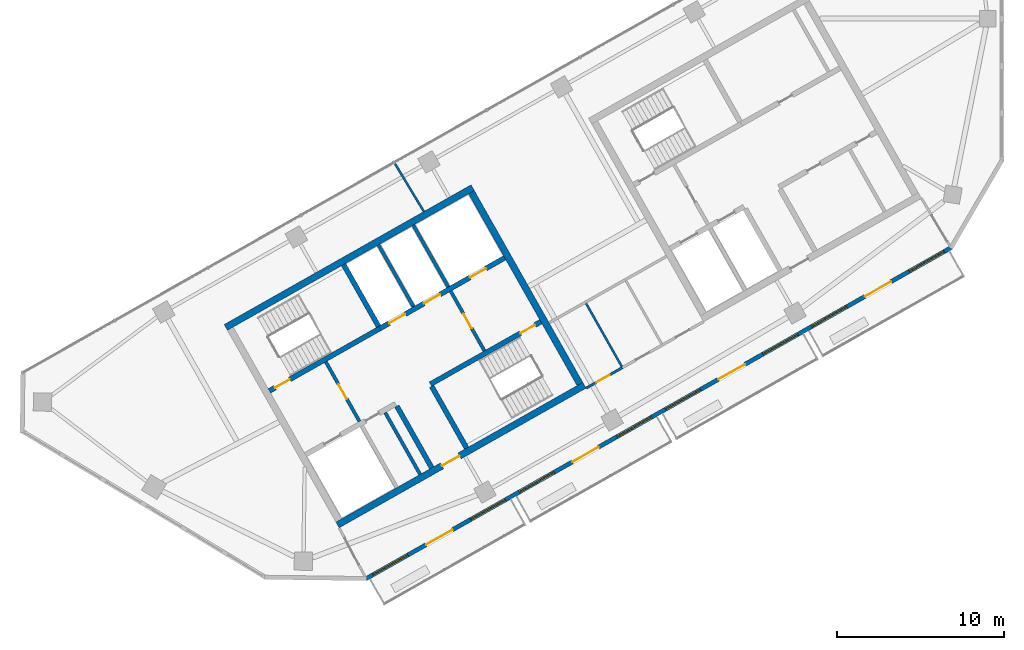
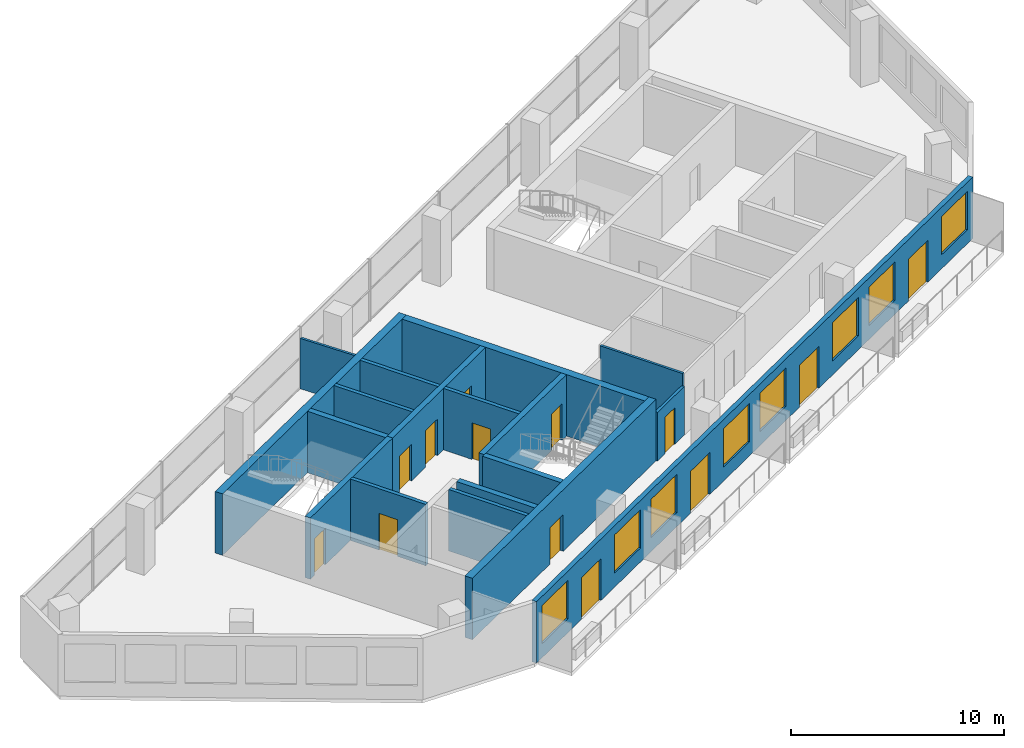
# One storey, part 6 of 10: 18 walls, 13 doors, 8 windows, 21 openings.
"""IFC4 building model written with IfcOpenShell, lengths in metres."""

from ifc_helpers import new_model, si_unit, direction, frame, frame_2d, origin, place, context, subcontext, project, spatial, rectangle, extrude, material, layer, layer_set, type_object, element, fill, save


model = new_model("IFC4")

# Units and contexts
model_context = context("Model", 3, precision=1e-05, world=origin(), true_north=direction((0.0, 1.0)))
body_context = subcontext(model_context, "Body", "Model", "MODEL_VIEW")
ifc_project = project(units=[si_unit("LENGTHUNIT", "METRE"), si_unit("AREAUNIT", "SQUARE_METRE"), si_unit("VOLUMEUNIT", "CUBIC_METRE"), si_unit("PLANEANGLEUNIT", "RADIAN"), si_unit("MASSUNIT", "GRAM", prefix="KILO")], contexts=[model_context])

# Site, building, storey
site_placement = place(None, origin())
site = spatial("IfcSite", under=ifc_project, at=site_placement, CompositionType="ELEMENT")
building_placement = place(site_placement, origin())
building = spatial("IfcBuilding", under=site, at=building_placement, Name="Binnacle Exchange Tower", CompositionType="ELEMENT")
storey_placement = place(building_placement, frame((0.0, 0.0, 327.89990234375)))
storey = spatial("IfcBuildingStorey", under=building, at=storey_placement, Name="L74", CompositionType="ELEMENT", Elevation=327.89990234375)

# Wall, openings, doors
ifc_material_1 = material(Name="Concrete C70/85", Category="concrete")
ifc_layer_1 = layer(ifc_material_1, 0.300048828125)
ifc_layer_set_1 = layer_set([ifc_layer_1], Name="Core wall - front 300")
wall_type_1 = type_object("IfcWallType", Name="Core wall - front 300", PredefinedType="SOLIDWALL", material=ifc_layer_set_1)
wall_1_placement = place(storey_placement, frame((-37.281982421875, 41.4345703125, 0.0), z_axis=(0.0, 0.0, 1.0), x_axis=(0.870361315115, 0.492413628113, 0.0)))
wall_1 = element("IfcWall", 1, at=wall_1_placement, inside=storey, type_object=wall_type_1, Name="Core wall CRWA5", PredefinedType="SOLIDWALL", context=body_context, shape_type="SweptSolid", body=[
    extrude(rectangle(XDim=8.599609375, YDim=0.300048828125, at=frame_2d((4.2998046875, 0.0))), origin(), (0.0, 0.0, 1.0), 3.52001953125),
])
opening_1_placement = place(wall_1_placement, frame((0.650146484375, 0.0, 0.0)))
opening_1 = element("IfcOpeningElement", 2, at=opening_1_placement, cuts=wall_1, Name="Opening LD9", PredefinedType="OPENING", context=body_context, shape_type="SweptSolid", body=[
    extrude(rectangle(XDim=1.10009765625, YDim=2.10009765625, at=frame_2d((0.550048828125, 1.050048828125))), frame((0.0, 0.159912109375, 0.0), z_axis=(0.0, -1.0, 0.0), x_axis=(1.0, 0.0, 0.0)), (0.0, 0.0, 1.0), 0.320068359375),
])
opening_2_placement = place(wall_1_placement, frame((3.050048828125, 0.0, 0.0)))
opening_2 = element("IfcOpeningElement", 3, at=opening_2_placement, cuts=wall_1, Name="Opening LD10", PredefinedType="OPENING", context=body_context, shape_type="SweptSolid", body=[
    extrude(rectangle(XDim=1.10009765625, YDim=2.10009765625, at=frame_2d((0.550048828125, 1.050048828125))), frame((0.0, 0.159912109375, 0.0), z_axis=(0.0, -1.0, 0.0), x_axis=(1.0, 0.0, 0.0)), (0.0, 0.0, 1.0), 0.320068359375),
])
opening_3_placement = place(wall_1_placement, frame((6.199951171875, 0.0, 0.0)))
opening_3 = element("IfcOpeningElement", 4, at=opening_3_placement, cuts=wall_1, Name="Opening LD13", PredefinedType="OPENING", context=body_context, shape_type="SweptSolid", body=[
    extrude(rectangle(XDim=1.10009765625, YDim=2.10009765625, at=frame_2d((0.550048828125, 1.050048828125))), frame((0.0, 0.159912109375, 0.0), z_axis=(0.0, -1.0, 0.0), x_axis=(1.0, 0.0, 0.0)), (0.0, 0.0, 1.0), 0.320068359375),
])
ifc_material_2 = material(Name="Steel door leaf", Category="steel")
door_type_1 = type_object("IfcDoorType", Name="Fire door - lift landing 1100", OperationType="NOTDEFINED", PredefinedType="DOOR", material=ifc_material_2)
door_1_placement = place(opening_1_placement, origin())
door_1 = element("IfcDoor", 5, at=door_1_placement, inside=storey, type_object=door_type_1, Name="Landing door LD9 L74", OperationType="DOUBLE_DOOR_SLIDING", OverallHeight=2.10009765625, OverallWidth=1.10009765625, PredefinedType="DOOR", context=body_context, shape_type="SweptSolid", body=[
    extrude(rectangle(XDim=1.10009765625, YDim=2.10009765625, at=frame_2d((0.550048828125, 1.050048828125))), frame((0.0, 0.02490234375, 0.0), z_axis=(0.0, -1.0, 0.0), x_axis=(1.0, 0.0, 0.0)), (0.0, 0.0, 1.0), 0.050048828125),
])
fill(opening_1, door_1)
door_2_placement = place(opening_2_placement, origin())
door_2 = element("IfcDoor", 6, at=door_2_placement, inside=storey, type_object=door_type_1, Name="Landing door LD10 L74", OperationType="DOUBLE_DOOR_SLIDING", OverallHeight=2.10009765625, OverallWidth=1.10009765625, PredefinedType="DOOR", context=body_context, shape_type="SweptSolid", body=[
    extrude(rectangle(XDim=1.10009765625, YDim=2.10009765625, at=frame_2d((0.550048828125, 1.050048828125))), frame((0.0, 0.02490234375, 0.0), z_axis=(0.0, -1.0, 0.0), x_axis=(1.0, 0.0, 0.0)), (0.0, 0.0, 1.0), 0.050048828125),
])
fill(opening_2, door_2)
door_3_placement = place(opening_3_placement, origin())
door_3 = element("IfcDoor", 7, at=door_3_placement, inside=storey, type_object=door_type_1, Name="Landing door LD13 L74", OperationType="DOUBLE_DOOR_SLIDING", OverallHeight=2.10009765625, OverallWidth=1.10009765625, PredefinedType="DOOR", context=body_context, shape_type="SweptSolid", body=[
    extrude(rectangle(XDim=1.10009765625, YDim=2.10009765625, at=frame_2d((0.550048828125, 1.050048828125))), frame((0.0, 0.02490234375, 0.0), z_axis=(0.0, -1.0, 0.0), x_axis=(1.0, 0.0, 0.0)), (0.0, 0.0, 1.0), 0.050048828125),
])
fill(opening_3, door_3)

# Wall
wall_2_placement = place(storey_placement, frame((-36.260009765625, 36.784912109375, 0.0), z_axis=(0.0, 0.0, 1.0), x_axis=(0.492422543467, -0.870356271124, 0.0)))
element("IfcWall", 8, at=wall_2_placement, inside=storey, type_object=wall_type_1, Name="Core wall CRWA13", PredefinedType="SOLIDWALL", context=body_context, shape_type="SweptSolid", body=[
    extrude(rectangle(XDim=4.25, YDim=0.300048828125, at=frame_2d((2.125, 0.0))), origin(), (0.0, 0.0, 1.0), 3.52001953125),
])

# Wall, opening, door
ifc_layer_2 = layer(ifc_material_1, 0.39990234375)
ifc_layer_set_2 = layer_set([ifc_layer_2], Name="Core wall - outer 400")
wall_type_2 = type_object("IfcWallType", Name="Core wall - outer 400", PredefinedType="SOLIDWALL", material=ifc_layer_set_2)
wall_3_placement = place(storey_placement, frame((-39.81298828125, 29.661865234375, 0.0), z_axis=(0.0, 0.0, 1.0), x_axis=(0.870350116061, 0.492433422375, 0.0)))
wall_3 = element("IfcWall", 9, at=wall_3_placement, inside=storey, type_object=wall_type_2, Name="Core wall CRWA1", PredefinedType="SOLIDWALL", context=body_context, shape_type="SweptSolid", body=[
    extrude(rectangle(XDim=17.0, YDim=0.39990234375, at=frame_2d((8.5, 0.0))), origin(), (0.0, 0.0, 1.0), 3.52001953125),
])
opening_4_placement = place(wall_3_placement, frame((7.199951171875, 0.0, 0.0)))
opening_4 = element("IfcOpeningElement", 10, at=opening_4_placement, cuts=wall_3, Name="Opening DA7", PredefinedType="OPENING", context=body_context, shape_type="SweptSolid", body=[
    extrude(rectangle(XDim=1.199951171875, YDim=2.10009765625, at=frame_2d((0.60009765625, 1.050048828125))), frame((0.0, 0.2099609375, 0.0), z_axis=(0.0, -1.0, 0.0), x_axis=(1.0, 0.0, 0.0)), (0.0, 0.0, 1.0), 0.419921875),
])
door_type_2 = type_object("IfcDoorType", Name="Fire door 1200", OperationType="NOTDEFINED", PredefinedType="DOOR", material=ifc_material_2)
door_4_placement = place(opening_4_placement, frame((1.199951171875, 0.0, 0.0), z_axis=(0.0, 0.0, 1.0), x_axis=(-1.0, 0.0, 0.0)))
door_4 = element("IfcDoor", 11, at=door_4_placement, inside=storey, type_object=door_type_2, Name="Lift lobby entrance door core A", OperationType="SINGLE_SWING_RIGHT", OverallHeight=2.10009765625, OverallWidth=1.199951171875, PredefinedType="DOOR", context=body_context, shape_type="SweptSolid", body=[
    extrude(rectangle(XDim=1.199951171875, YDim=2.10009765625, at=frame_2d((0.60009765625, 1.050048828125))), frame((0.0, 0.02490234375, 0.0), z_axis=(0.0, -1.0, 0.0), x_axis=(1.0, 0.0, 0.0)), (0.0, 0.0, 1.0), 0.050048828125),
])
fill(opening_4, door_4)

# Walls
wall_4_placement = place(storey_placement, frame((-46.510009765625, 41.498779296875, 0.0), z_axis=(0.0, 0.0, 1.0), x_axis=(0.870356271124, 0.492422543467, 0.0)))
element("IfcWall", 12, at=wall_4_placement, inside=storey, type_object=wall_type_2, Name="Core wall CRWA6", PredefinedType="SOLIDWALL", context=body_context, shape_type="SweptSolid", body=[
    extrude(rectangle(XDim=16.999755859375, YDim=0.39990234375, at=frame_2d((8.5, 0.0))), origin(), (0.0, 0.0, 1.0), 3.52001953125),
])
wall_5_placement = place(storey_placement, frame((-31.78955078125, 49.597412109375, 0.0), z_axis=(0.0, 0.0, 1.0), x_axis=(0.492421663121, -0.870356769198, 0.0)))
element("IfcWall", 13, at=wall_5_placement, inside=storey, type_object=wall_type_2, Name="Core wall CRWA22", PredefinedType="SOLIDWALL", context=body_context, shape_type="SweptSolid", body=[
    extrude(rectangle(XDim=13.199951171875, YDim=0.39990234375, at=frame_2d((6.60009765625, 0.0))), origin(), (0.0, 0.0, 1.0), 3.52001953125),
])

# Wall, opening, door
ifc_layer_3 = layer(ifc_material_1, 0.300048828125)
ifc_layer_set_3 = layer_set([ifc_layer_3], Name="Core wall - stair 300")
wall_type_3 = type_object("IfcWallType", Name="Core wall - stair 300", PredefinedType="SOLIDWALL", material=ifc_layer_set_3)
wall_6_placement = place(storey_placement, frame((-34.2451171875, 38.097412109375, 0.0), z_axis=(0.0, 0.0, 1.0), x_axis=(0.870356351998, 0.492422400523, 0.0)))
wall_6 = element("IfcWall", 14, at=wall_6_placement, inside=storey, type_object=wall_type_3, Name="Core wall CRWA3", PredefinedType="SOLIDWALL", context=body_context, shape_type="SweptSolid", body=[
    extrude(rectangle(XDim=7.60009765625, YDim=0.300048828125, at=frame_2d((3.800048828125, 0.0))), origin(), (0.0, 0.0, 1.0), 3.52001953125),
])
opening_5_placement = place(wall_6_placement, frame((6.199951171875, 0.0, 0.0)))
opening_5 = element("IfcOpeningElement", 15, at=opening_5_placement, cuts=wall_6, Name="Opening DA2", PredefinedType="OPENING", context=body_context, shape_type="SweptSolid", body=[
    extrude(rectangle(XDim=1.0, YDim=2.10009765625, at=frame_2d((0.5, 1.050048828125))), frame((0.0, 0.159912109375, 0.0), z_axis=(0.0, -1.0, 0.0), x_axis=(1.0, 0.0, 0.0)), (0.0, 0.0, 1.0), 0.320068359375),
])
door_type_3 = type_object("IfcDoorType", Name="Fire door 1000", OperationType="NOTDEFINED", PredefinedType="DOOR", material=ifc_material_2)
door_5_placement = place(opening_5_placement, frame((1.0, 0.0, 0.0), z_axis=(0.0, 0.0, 1.0), x_axis=(-1.0, 0.0, 0.0)))
door_5 = element("IfcDoor", 16, at=door_5_placement, inside=storey, type_object=door_type_3, Name="Stair door ST-A2", OperationType="SINGLE_SWING_LEFT", OverallHeight=2.10009765625, OverallWidth=1.0, PredefinedType="DOOR", context=body_context, shape_type="SweptSolid", body=[
    extrude(rectangle(XDim=1.0, YDim=2.10009765625, at=frame_2d((0.5, 1.050048828125))), frame((0.0, 0.02490234375, 0.0), z_axis=(0.0, -1.0, 0.0), x_axis=(1.0, 0.0, 0.0)), (0.0, 0.0, 1.0), 0.050048828125),
])
fill(opening_5, door_5)

wall_7_placement = place(storey_placement, frame((-43.896728515625, 37.692138671875, 0.0), z_axis=(0.0, 0.0, 1.0), x_axis=(0.870356351998, 0.492422400523, 0.0)))
wall_7 = element("IfcWall", 17, at=wall_7_placement, inside=storey, type_object=wall_type_3, Name="Core wall CRWA4", PredefinedType="SOLIDWALL", context=body_context, shape_type="SweptSolid", body=[
    extrude(rectangle(XDim=7.60009765625, YDim=0.300048828125, at=frame_2d((3.800048828125, 0.0))), origin(), (0.0, 0.0, 1.0), 3.52001953125),
])
opening_6_placement = place(wall_7_placement, frame((0.39990234375, 0.0, 0.0)))
opening_6 = element("IfcOpeningElement", 18, at=opening_6_placement, cuts=wall_7, Name="Opening DA1", PredefinedType="OPENING", context=body_context, shape_type="SweptSolid", body=[
    extrude(rectangle(XDim=1.0, YDim=2.10009765625, at=frame_2d((0.5, 1.050048828125))), frame((0.0, 0.159912109375, 0.0), z_axis=(0.0, -1.0, 0.0), x_axis=(1.0, 0.0, 0.0)), (0.0, 0.0, 1.0), 0.320068359375),
])
door_6_placement = place(opening_6_placement, origin())
door_6 = element("IfcDoor", 19, at=door_6_placement, inside=storey, type_object=door_type_3, Name="Stair door ST-A1", OperationType="SINGLE_SWING_LEFT", OverallHeight=2.10009765625, OverallWidth=1.0, PredefinedType="DOOR", context=body_context, shape_type="SweptSolid", body=[
    extrude(rectangle(XDim=1.0, YDim=2.10009765625, at=frame_2d((0.5, 1.050048828125))), frame((0.0, 0.02490234375, 0.0), z_axis=(0.0, -1.0, 0.0), x_axis=(1.0, 0.0, 0.0)), (0.0, 0.0, 1.0), 0.050048828125),
])
fill(opening_6, door_6)

# Walls
for number, where, z_axis, x_axis, name in (
    (20, (-39.44873046875, 45.263916015625, 0.0), (0.0, 0.0, 1.0), (0.492422543467, -0.870356271124, 0.0), "Core wall CRWA14"),
    (21, (-34.171142578125, 37.966796875, 0.0), (0.0, 0.0, 1.0), (0.492422543467, -0.870356271124, 0.0), "Core wall CRWA16"),
):
    element("IfcWall", number, at=place(storey_placement, frame(where, z_axis=z_axis, x_axis=x_axis)), inside=storey, type_object=wall_type_3, Name=name, PredefinedType="SOLIDWALL", context=body_context, shape_type="SweptSolid", body=[
        extrude(rectangle(XDim=4.25, YDim=0.300048828125, at=frame_2d((2.125, 0.0))), origin(), (0.0, 0.0, 1.0), 3.52001953125),
    ])

# Wall, openings, doors, windows
ifc_material_3 = material(Name="Bronze aluminium cladding", Category="aluminium")
ifc_layer_4 = layer(ifc_material_3, 0.25)
ifc_layer_set_4 = layer_set([ifc_layer_4], Name="External wall - window wall 250")
wall_type_4 = type_object("IfcWallType", Name="External wall - window wall 250", PredefinedType="STANDARD", material=ifc_layer_set_4)
wall_8_placement = place(storey_placement, frame((-3.016845703125, 46.293212890625, 0.0), z_axis=(0.0, 0.0, 1.0), x_axis=(-0.870355474887, -0.492423950812, 0.0)))
wall_8 = element("IfcWall", 22, at=wall_8_placement, inside=storey, type_object=wall_type_4, Name="External wall EW-H07 L74", PredefinedType="STANDARD", context=body_context, shape_type="SweptSolid", body=[
    extrude(rectangle(XDim=40.34033203125, YDim=0.25, at=frame_2d((20.170166015625, 0.0))), origin(), (0.0, 0.0, 1.0), 3.52001953125),
])
opening_7_placement = place(wall_8_placement, frame((37.428466796875, 0.0, 0.800048828125)))
opening_7 = element("IfcOpeningElement", 23, at=opening_7_placement, cuts=wall_8, Name="Opening WR2", PredefinedType="OPENING", context=body_context, shape_type="SweptSolid", body=[
    extrude(rectangle(XDim=2.39990234375, YDim=2.199951171875, at=frame_2d((1.199951171875, 1.10009765625))), frame((0.0, 0.135009765625, 0.0), z_axis=(0.0, -1.0, 0.0), x_axis=(1.0, 0.0, 0.0)), (0.0, 0.0, 1.0), 0.27001953125),
])
opening_8_placement = place(wall_8_placement, frame((34.372314453125, 0.0, 0.0)))
opening_8 = element("IfcOpeningElement", 24, at=opening_8_placement, cuts=wall_8, Name="Opening D-FS22-01", PredefinedType="OPENING", context=body_context, shape_type="SweptSolid", body=[
    extrude(rectangle(XDim=1.800048828125, YDim=2.39990234375, at=frame_2d((0.89990234375, 1.199951171875))), frame((0.0, 0.135009765625, 0.0), z_axis=(0.0, -1.0, 0.0), x_axis=(1.0, 0.0, 0.0)), (0.0, 0.0, 1.0), 0.27001953125),
])
opening_9_placement = place(wall_8_placement, frame((30.71630859375, 0.0, 0.800048828125)))
opening_9 = element("IfcOpeningElement", 25, at=opening_9_placement, cuts=wall_8, Name="Opening WR2", PredefinedType="OPENING", context=body_context, shape_type="SweptSolid", body=[
    extrude(rectangle(XDim=2.39990234375, YDim=2.199951171875, at=frame_2d((1.199951171875, 1.10009765625))), frame((0.0, 0.135009765625, 0.0), z_axis=(0.0, -1.0, 0.0), x_axis=(1.0, 0.0, 0.0)), (0.0, 0.0, 1.0), 0.27001953125),
])
opening_10_placement = place(wall_8_placement, frame((27.3603515625, 0.0, 0.800048828125)))
opening_10 = element("IfcOpeningElement", 26, at=opening_10_placement, cuts=wall_8, Name="Opening WR2", PredefinedType="OPENING", context=body_context, shape_type="SweptSolid", body=[
    extrude(rectangle(XDim=2.39990234375, YDim=2.199951171875, at=frame_2d((1.199951171875, 1.10009765625))), frame((0.0, 0.135009765625, 0.0), z_axis=(0.0, -1.0, 0.0), x_axis=(1.0, 0.0, 0.0)), (0.0, 0.0, 1.0), 0.27001953125),
])
opening_11_placement = place(wall_8_placement, frame((24.30419921875, 0.0, 0.0)))
opening_11 = element("IfcOpeningElement", 27, at=opening_11_placement, cuts=wall_8, Name="Opening D-FS22-02", PredefinedType="OPENING", context=body_context, shape_type="SweptSolid", body=[
    extrude(rectangle(XDim=1.800048828125, YDim=2.39990234375, at=frame_2d((0.89990234375, 1.199951171875))), frame((0.0, 0.135009765625, 0.0), z_axis=(0.0, -1.0, 0.0), x_axis=(1.0, 0.0, 0.0)), (0.0, 0.0, 1.0), 0.27001953125),
])
opening_12_placement = place(wall_8_placement, frame((20.648193359375, 0.0, 0.800048828125)))
opening_12 = element("IfcOpeningElement", 28, at=opening_12_placement, cuts=wall_8, Name="Opening WR2", PredefinedType="OPENING", context=body_context, shape_type="SweptSolid", body=[
    extrude(rectangle(XDim=2.39990234375, YDim=2.199951171875, at=frame_2d((1.199951171875, 1.10009765625))), frame((0.0, 0.135009765625, 0.0), z_axis=(0.0, -1.0, 0.0), x_axis=(1.0, 0.0, 0.0)), (0.0, 0.0, 1.0), 0.27001953125),
])
opening_13_placement = place(wall_8_placement, frame((17.2919921875, 0.0, 0.800048828125)))
opening_13 = element("IfcOpeningElement", 29, at=opening_13_placement, cuts=wall_8, Name="Opening WR2", PredefinedType="OPENING", context=body_context, shape_type="SweptSolid", body=[
    extrude(rectangle(XDim=2.39990234375, YDim=2.199951171875, at=frame_2d((1.199951171875, 1.10009765625))), frame((0.0, 0.135009765625, 0.0), z_axis=(0.0, -1.0, 0.0), x_axis=(1.0, 0.0, 0.0)), (0.0, 0.0, 1.0), 0.27001953125),
])
opening_14_placement = place(wall_8_placement, frame((14.236083984375, 0.0, 0.0)))
opening_14 = element("IfcOpeningElement", 30, at=opening_14_placement, cuts=wall_8, Name="Opening D-FS22-03", PredefinedType="OPENING", context=body_context, shape_type="SweptSolid", body=[
    extrude(rectangle(XDim=1.800048828125, YDim=2.39990234375, at=frame_2d((0.89990234375, 1.199951171875))), frame((0.0, 0.135009765625, 0.0), z_axis=(0.0, -1.0, 0.0), x_axis=(1.0, 0.0, 0.0)), (0.0, 0.0, 1.0), 0.27001953125),
])
opening_15_placement = place(wall_8_placement, frame((10.580078125, 0.0, 0.800048828125)))
opening_15 = element("IfcOpeningElement", 31, at=opening_15_placement, cuts=wall_8, Name="Opening WR2", PredefinedType="OPENING", context=body_context, shape_type="SweptSolid", body=[
    extrude(rectangle(XDim=2.39990234375, YDim=2.199951171875, at=frame_2d((1.199951171875, 1.10009765625))), frame((0.0, 0.135009765625, 0.0), z_axis=(0.0, -1.0, 0.0), x_axis=(1.0, 0.0, 0.0)), (0.0, 0.0, 1.0), 0.27001953125),
])
opening_16_placement = place(wall_8_placement, frame((7.223876953125, 0.0, 0.800048828125)))
opening_16 = element("IfcOpeningElement", 32, at=opening_16_placement, cuts=wall_8, Name="Opening WR2", PredefinedType="OPENING", context=body_context, shape_type="SweptSolid", body=[
    extrude(rectangle(XDim=2.39990234375, YDim=2.199951171875, at=frame_2d((1.199951171875, 1.10009765625))), frame((0.0, 0.135009765625, 0.0), z_axis=(0.0, -1.0, 0.0), x_axis=(1.0, 0.0, 0.0)), (0.0, 0.0, 1.0), 0.27001953125),
])
opening_17_placement = place(wall_8_placement, frame((4.16796875, 0.0, 0.0)))
opening_17 = element("IfcOpeningElement", 33, at=opening_17_placement, cuts=wall_8, Name="Opening D-FS22-04", PredefinedType="OPENING", context=body_context, shape_type="SweptSolid", body=[
    extrude(rectangle(XDim=1.800048828125, YDim=2.39990234375, at=frame_2d((0.89990234375, 1.199951171875))), frame((0.0, 0.135009765625, 0.0), z_axis=(0.0, -1.0, 0.0), x_axis=(1.0, 0.0, 0.0)), (0.0, 0.0, 1.0), 0.27001953125),
])
opening_18_placement = place(wall_8_placement, frame((0.51171875, 0.0, 0.800048828125)))
opening_18 = element("IfcOpeningElement", 34, at=opening_18_placement, cuts=wall_8, Name="Opening WR2", PredefinedType="OPENING", context=body_context, shape_type="SweptSolid", body=[
    extrude(rectangle(XDim=2.39990234375, YDim=2.199951171875, at=frame_2d((1.199951171875, 1.10009765625))), frame((0.0, 0.135009765625, 0.0), z_axis=(0.0, -1.0, 0.0), x_axis=(1.0, 0.0, 0.0)), (0.0, 0.0, 1.0), 0.27001953125),
])
ifc_material_4 = material(Name="Bronze anodised aluminium frame", Category="aluminium")
door_type_4 = type_object("IfcDoorType", Name="DB DOOR 1800x2400", OperationType="DOUBLE_DOOR_SINGLE_SWING", PredefinedType="DOOR", material=ifc_material_4)
door_7_placement = place(opening_8_placement, origin())
door_7 = element("IfcDoor", 35, at=door_7_placement, inside=storey, type_object=door_type_4, Name="Door D-FS22-01 L74", OperationType="DOUBLE_DOOR_SINGLE_SWING", OverallHeight=2.39990234375, OverallWidth=1.800048828125, PredefinedType="DOOR", context=body_context, shape_type="SweptSolid", body=[
    extrude(rectangle(XDim=1.800048828125, YDim=2.39990234375, at=frame_2d((0.89990234375, 1.199951171875))), frame((0.0, 0.02490234375, 0.0), z_axis=(0.0, -1.0, 0.0), x_axis=(1.0, 0.0, 0.0)), (0.0, 0.0, 1.0), 0.050048828125),
])
fill(opening_8, door_7)
door_8_placement = place(opening_11_placement, origin())
door_8 = element("IfcDoor", 36, at=door_8_placement, inside=storey, type_object=door_type_4, Name="Door D-FS22-02 L74", OperationType="DOUBLE_DOOR_SINGLE_SWING", OverallHeight=2.39990234375, OverallWidth=1.800048828125, PredefinedType="DOOR", context=body_context, shape_type="SweptSolid", body=[
    extrude(rectangle(XDim=1.800048828125, YDim=2.39990234375, at=frame_2d((0.89990234375, 1.199951171875))), frame((0.0, 0.02490234375, 0.0), z_axis=(0.0, -1.0, 0.0), x_axis=(1.0, 0.0, 0.0)), (0.0, 0.0, 1.0), 0.050048828125),
])
fill(opening_11, door_8)
door_9_placement = place(opening_14_placement, origin())
door_9 = element("IfcDoor", 37, at=door_9_placement, inside=storey, type_object=door_type_4, Name="Door D-FS22-03 L74", OperationType="DOUBLE_DOOR_SINGLE_SWING", OverallHeight=2.39990234375, OverallWidth=1.800048828125, PredefinedType="DOOR", context=body_context, shape_type="SweptSolid", body=[
    extrude(rectangle(XDim=1.800048828125, YDim=2.39990234375, at=frame_2d((0.89990234375, 1.199951171875))), frame((0.0, 0.02490234375, 0.0), z_axis=(0.0, -1.0, 0.0), x_axis=(1.0, 0.0, 0.0)), (0.0, 0.0, 1.0), 0.050048828125),
])
fill(opening_14, door_9)
door_10_placement = place(opening_17_placement, origin())
door_10 = element("IfcDoor", 38, at=door_10_placement, inside=storey, type_object=door_type_4, Name="Door D-FS22-04 L74", OperationType="DOUBLE_DOOR_SINGLE_SWING", OverallHeight=2.39990234375, OverallWidth=1.800048828125, PredefinedType="DOOR", context=body_context, shape_type="SweptSolid", body=[
    extrude(rectangle(XDim=1.800048828125, YDim=2.39990234375, at=frame_2d((0.89990234375, 1.199951171875))), frame((0.0, 0.02490234375, 0.0), z_axis=(0.0, -1.0, 0.0), x_axis=(1.0, 0.0, 0.0)), (0.0, 0.0, 1.0), 0.050048828125),
])
fill(opening_17, door_10)
window_type = type_object("IfcWindowType", Name="WR2 WINDOW 2400x2200", PartitioningType="SINGLE_PANEL", PredefinedType="WINDOW", material=ifc_material_4)
window_1_placement = place(opening_7_placement, origin())
window_1 = element("IfcWindow", 39, at=window_1_placement, inside=storey, type_object=window_type, Name="Window WR2 L74", OverallHeight=2.199951171875, OverallWidth=2.39990234375, PartitioningType="SINGLE_PANEL", PredefinedType="WINDOW", context=body_context, shape_type="SweptSolid", body=[
    extrude(rectangle(XDim=2.39990234375, YDim=2.199951171875, at=frame_2d((1.199951171875, 1.10009765625))), frame((0.0, 0.030029296875, 0.0), z_axis=(0.0, -1.0, 0.0), x_axis=(1.0, 0.0, 0.0)), (0.0, 0.0, 1.0), 0.06005859375),
])
fill(opening_7, window_1)
window_2_placement = place(opening_9_placement, origin())
window_2 = element("IfcWindow", 40, at=window_2_placement, inside=storey, type_object=window_type, Name="Window WR2 L74", OverallHeight=2.199951171875, OverallWidth=2.39990234375, PartitioningType="SINGLE_PANEL", PredefinedType="WINDOW", context=body_context, shape_type="SweptSolid", body=[
    extrude(rectangle(XDim=2.39990234375, YDim=2.199951171875, at=frame_2d((1.199951171875, 1.10009765625))), frame((0.0, 0.030029296875, 0.0), z_axis=(0.0, -1.0, 0.0), x_axis=(1.0, 0.0, 0.0)), (0.0, 0.0, 1.0), 0.06005859375),
])
fill(opening_9, window_2)
window_3_placement = place(opening_10_placement, origin())
window_3 = element("IfcWindow", 41, at=window_3_placement, inside=storey, type_object=window_type, Name="Window WR2 L74", OverallHeight=2.199951171875, OverallWidth=2.39990234375, PartitioningType="SINGLE_PANEL", PredefinedType="WINDOW", context=body_context, shape_type="SweptSolid", body=[
    extrude(rectangle(XDim=2.39990234375, YDim=2.199951171875, at=frame_2d((1.199951171875, 1.10009765625))), frame((0.0, 0.030029296875, 0.0), z_axis=(0.0, -1.0, 0.0), x_axis=(1.0, 0.0, 0.0)), (0.0, 0.0, 1.0), 0.06005859375),
])
fill(opening_10, window_3)
window_4_placement = place(opening_12_placement, origin())
window_4 = element("IfcWindow", 42, at=window_4_placement, inside=storey, type_object=window_type, Name="Window WR2 L74", OverallHeight=2.199951171875, OverallWidth=2.39990234375, PartitioningType="SINGLE_PANEL", PredefinedType="WINDOW", context=body_context, shape_type="SweptSolid", body=[
    extrude(rectangle(XDim=2.39990234375, YDim=2.199951171875, at=frame_2d((1.199951171875, 1.10009765625))), frame((0.0, 0.030029296875, 0.0), z_axis=(0.0, -1.0, 0.0), x_axis=(1.0, 0.0, 0.0)), (0.0, 0.0, 1.0), 0.06005859375),
])
fill(opening_12, window_4)
window_5_placement = place(opening_13_placement, origin())
window_5 = element("IfcWindow", 43, at=window_5_placement, inside=storey, type_object=window_type, Name="Window WR2 L74", OverallHeight=2.199951171875, OverallWidth=2.39990234375, PartitioningType="SINGLE_PANEL", PredefinedType="WINDOW", context=body_context, shape_type="SweptSolid", body=[
    extrude(rectangle(XDim=2.39990234375, YDim=2.199951171875, at=frame_2d((1.199951171875, 1.10009765625))), frame((0.0, 0.030029296875, 0.0), z_axis=(0.0, -1.0, 0.0), x_axis=(1.0, 0.0, 0.0)), (0.0, 0.0, 1.0), 0.06005859375),
])
fill(opening_13, window_5)
window_6_placement = place(opening_15_placement, origin())
window_6 = element("IfcWindow", 44, at=window_6_placement, inside=storey, type_object=window_type, Name="Window WR2 L74", OverallHeight=2.199951171875, OverallWidth=2.39990234375, PartitioningType="SINGLE_PANEL", PredefinedType="WINDOW", context=body_context, shape_type="SweptSolid", body=[
    extrude(rectangle(XDim=2.39990234375, YDim=2.199951171875, at=frame_2d((1.199951171875, 1.10009765625))), frame((0.0, 0.030029296875, 0.0), z_axis=(0.0, -1.0, 0.0), x_axis=(1.0, 0.0, 0.0)), (0.0, 0.0, 1.0), 0.06005859375),
])
fill(opening_15, window_6)
window_7_placement = place(opening_16_placement, origin())
window_7 = element("IfcWindow", 45, at=window_7_placement, inside=storey, type_object=window_type, Name="Window WR2 L74", OverallHeight=2.199951171875, OverallWidth=2.39990234375, PartitioningType="SINGLE_PANEL", PredefinedType="WINDOW", context=body_context, shape_type="SweptSolid", body=[
    extrude(rectangle(XDim=2.39990234375, YDim=2.199951171875, at=frame_2d((1.199951171875, 1.10009765625))), frame((0.0, 0.030029296875, 0.0), z_axis=(0.0, -1.0, 0.0), x_axis=(1.0, 0.0, 0.0)), (0.0, 0.0, 1.0), 0.06005859375),
])
fill(opening_16, window_7)
window_8_placement = place(opening_18_placement, origin())
window_8 = element("IfcWindow", 46, at=window_8_placement, inside=storey, type_object=window_type, Name="Window WR2 L74", OverallHeight=2.199951171875, OverallWidth=2.39990234375, PartitioningType="SINGLE_PANEL", PredefinedType="WINDOW", context=body_context, shape_type="SweptSolid", body=[
    extrude(rectangle(XDim=2.39990234375, YDim=2.199951171875, at=frame_2d((1.199951171875, 1.10009765625))), frame((0.0, 0.030029296875, 0.0), z_axis=(0.0, -1.0, 0.0), x_axis=(1.0, 0.0, 0.0)), (0.0, 0.0, 1.0), 0.06005859375),
])
fill(opening_18, window_8)

# Wall, opening, door
ifc_material_5 = material(Name="Masonry block wall", Category="masonry")
ifc_layer_5 = layer(ifc_material_5, 0.199951171875)
ifc_layer_set_5 = layer_set([ifc_layer_5], Name="Fire wall - vestibule 200")
wall_type_5 = type_object("IfcWallType", Name="Fire wall - vestibule 200", PredefinedType="PARTITIONING", material=ifc_layer_set_5)
wall_9_placement = place(storey_placement, frame((-40.515625, 39.4326171875, 0.0), z_axis=(0.0, 0.0, 1.0), x_axis=(0.492453559952, -0.87033872216, 0.0)))
wall_9 = element("IfcWall", 47, at=wall_9_placement, inside=storey, type_object=wall_type_5, Name="Core wall CRWA10", PredefinedType="PARTITIONING", context=body_context, shape_type="SweptSolid", body=[
    extrude(rectangle(XDim=4.099853515625, YDim=0.199951171875, at=frame_2d((2.0498046875, 0.0))), origin(), (0.0, 0.0, 1.0), 3.52001953125),
])
opening_19_placement = place(wall_9_placement, frame((1.550048828125, 0.0, 0.0)))
opening_19 = element("IfcOpeningElement", 48, at=opening_19_placement, cuts=wall_9, Name="Opening DA3", PredefinedType="OPENING", context=body_context, shape_type="SweptSolid", body=[
    extrude(rectangle(XDim=1.0, YDim=2.10009765625, at=frame_2d((0.5, 1.050048828125))), frame((0.0, 0.10986328125, 0.0), z_axis=(0.0, -1.0, 0.0), x_axis=(1.0, 0.0, 0.0)), (0.0, 0.0, 1.0), 0.219970703125),
])
door_11_placement = place(opening_19_placement, frame((1.0, 0.0, 0.0), z_axis=(0.0, 0.0, 1.0), x_axis=(-1.0, 0.0, 0.0)))
door_11 = element("IfcDoor", 49, at=door_11_placement, inside=storey, type_object=door_type_3, Name="Vestibule door VEST-W", OperationType="SINGLE_SWING_LEFT", OverallHeight=2.10009765625, OverallWidth=1.0, PredefinedType="DOOR", context=body_context, shape_type="SweptSolid", body=[
    extrude(rectangle(XDim=1.0, YDim=2.10009765625, at=frame_2d((0.5, 1.050048828125))), frame((0.0, 0.02490234375, 0.0), z_axis=(0.0, -1.0, 0.0), x_axis=(1.0, 0.0, 0.0)), (0.0, 0.0, 1.0), 0.050048828125),
])
fill(opening_19, door_11)

wall_10_placement = place(storey_placement, frame((-33.030517578125, 43.66748046875, 0.0), z_axis=(0.0, 0.0, 1.0), x_axis=(0.492408451753, -0.87036424366, 0.0)))
wall_10 = element("IfcWall", 50, at=wall_10_placement, inside=storey, type_object=wall_type_5, Name="Core wall CRWA19", PredefinedType="PARTITIONING", context=body_context, shape_type="SweptSolid", body=[
    extrude(rectangle(XDim=4.099853515625, YDim=0.199951171875, at=frame_2d((2.0498046875, 0.0))), origin(), (0.0, 0.0, 1.0), 3.52001953125),
])
opening_20_placement = place(wall_10_placement, frame((1.550048828125, 0.0, 0.0)))
opening_20 = element("IfcOpeningElement", 51, at=opening_20_placement, cuts=wall_10, Name="Opening DA4", PredefinedType="OPENING", context=body_context, shape_type="SweptSolid", body=[
    extrude(rectangle(XDim=1.0, YDim=2.10009765625, at=frame_2d((0.5, 1.050048828125))), frame((0.0, 0.10986328125, 0.0), z_axis=(0.0, -1.0, 0.0), x_axis=(1.0, 0.0, 0.0)), (0.0, 0.0, 1.0), 0.219970703125),
])
door_12_placement = place(opening_20_placement, origin())
door_12 = element("IfcDoor", 52, at=door_12_placement, inside=storey, type_object=door_type_3, Name="Vestibule door VEST-E", OperationType="SINGLE_SWING_RIGHT", OverallHeight=2.10009765625, OverallWidth=1.0, PredefinedType="DOOR", context=body_context, shape_type="SweptSolid", body=[
    extrude(rectangle(XDim=1.0, YDim=2.10009765625, at=frame_2d((0.5, 1.050048828125))), frame((0.0, 0.02490234375, 0.0), z_axis=(0.0, -1.0, 0.0), x_axis=(1.0, 0.0, 0.0)), (0.0, 0.0, 1.0), 0.050048828125),
])
fill(opening_20, door_12)

ifc_material_6 = material(Name="Gypsum partition fire rated")
ifc_layer_6 = layer(ifc_material_6, 0.14990234375)
ifc_layer_set_6 = layer_set([ifc_layer_6], Name="Fire-rated partition 150")
wall_type_6 = type_object("IfcWallType", Name="Fire-rated partition 150", PredefinedType="PARTITIONING", material=ifc_layer_set_6)
wall_11_placement = place(storey_placement, frame((-24.9189453125, 37.85888671875, 0.0), z_axis=(0.0, 0.0, 1.0), x_axis=(0.870344512032, 0.49244332707, 0.0)))
wall_11 = element("IfcWall", 53, at=wall_11_placement, inside=storey, type_object=wall_type_6, Name="Partition W06", PredefinedType="PARTITIONING", context=body_context, shape_type="SweptSolid", body=[
    extrude(rectangle(XDim=2.500244140625, YDim=0.14990234375, at=frame_2d((1.25, 0.0))), origin(), (0.0, 0.0, 1.0), 2.7919921875),
])
opening_21_placement = place(wall_11_placement, frame((0.699951171875, 0.0, 0.0)))
opening_21 = element("IfcOpeningElement", 54, at=opening_21_placement, cuts=wall_11, Name="Opening DL74-01", PredefinedType="OPENING", context=body_context, shape_type="SweptSolid", body=[
    extrude(rectangle(XDim=0.89990234375, YDim=2.10009765625, at=frame_2d((0.449951171875, 1.050048828125))), frame((0.0, 0.0849609375, 0.0), z_axis=(0.0, -1.0, 0.0), x_axis=(1.0, 0.0, 0.0)), (0.0, 0.0, 1.0), 0.169921875),
])
door_type_5 = type_object("IfcDoorType", Name="Fire door 900", OperationType="NOTDEFINED", PredefinedType="DOOR", material=ifc_material_2)
door_13_placement = place(opening_21_placement, origin())
door_13 = element("IfcDoor", 55, at=door_13_placement, inside=storey, type_object=door_type_5, Name="Door DL74-01", OperationType="SINGLE_SWING_LEFT", OverallHeight=2.10009765625, OverallWidth=0.89990234375, PredefinedType="DOOR", context=body_context, shape_type="SweptSolid", body=[
    extrude(rectangle(XDim=0.89990234375, YDim=2.10009765625, at=frame_2d((0.449951171875, 1.050048828125))), frame((0.0, 0.02490234375, 0.0), z_axis=(0.0, -1.0, 0.0), x_axis=(1.0, 0.0, 0.0)), (0.0, 0.0, 1.0), 0.050048828125),
])
fill(opening_21, door_13)

# Walls
ifc_material_7 = material(Name="Gypsum partition")
ifc_layer_7 = layer(ifc_material_7, 0.125)
ifc_layer_set_7 = layer_set([ifc_layer_7], Name="Partition 125")
wall_type_7 = type_object("IfcWallType", Name="Partition 125", PredefinedType="PARTITIONING", material=ifc_layer_set_7)
wall_12_placement = place(storey_placement, frame((-36.389892578125, 51.343017578125, 0.0), z_axis=(0.0, 0.0, 1.0), x_axis=(0.516541008997, -0.856262451603, 0.0)))
element("IfcWall", 56, at=wall_12_placement, inside=storey, type_object=wall_type_7, Name="Partition W02", PredefinedType="PARTITIONING", context=body_context, shape_type="SweptSolid", body=[
    extrude(rectangle(XDim=3.385498046875, YDim=0.125, at=frame_2d((1.69287109375, 0.0))), origin(), (0.0, 0.0, 1.0), 2.88818359375),
])
wall_13_placement = place(storey_placement, frame((-24.958984375, 43.007080078125, 0.0), z_axis=(0.0, 0.0, 1.0), x_axis=(0.492412939134, -0.87036170491, 0.0)))
element("IfcWall", 57, at=wall_13_placement, inside=storey, type_object=wall_type_7, Name="Partition W04", PredefinedType="PARTITIONING", context=body_context, shape_type="SweptSolid", body=[
    extrude(rectangle(XDim=4.50048828125, YDim=0.125, at=frame_2d((2.250244140625, 0.0))), origin(), (0.0, 0.0, 1.0), 3.52001953125),
])
ifc_layer_8 = layer(ifc_material_5, 0.199951171875)
ifc_layer_set_8 = layer_set([ifc_layer_8], Name="Riser wall 200")
wall_type_8 = type_object("IfcWallType", Name="Riser wall 200", PredefinedType="SOLIDWALL", material=ifc_layer_set_8)
wall_14_placement = place(storey_placement, frame((-36.956298828125, 36.39111328125, 0.0), z_axis=(0.0, 0.0, 1.0), x_axis=(0.492397924348, -0.870370199454, 0.0)))
element("IfcWall", 58, at=wall_14_placement, inside=storey, type_object=wall_type_8, Name="Core wall CRWA12", PredefinedType="SOLIDWALL", context=body_context, shape_type="SweptSolid", body=[
    extrude(rectangle(XDim=4.250244140625, YDim=0.199951171875, at=frame_2d((2.125, 0.0))), origin(), (0.0, 0.0, 1.0), 3.52001953125),
])
ifc_layer_9 = layer(ifc_material_5, 0.199951171875)
ifc_layer_set_9 = layer_set([ifc_layer_9], Name="Shaft wall 200")
wall_type_9 = type_object("IfcWallType", Name="Shaft wall 200", PredefinedType="SOLIDWALL", material=ifc_layer_set_9)
for number, where, z_axis, x_axis, name in (
    (59, (-37.35986328125, 46.44580078125, 0.0), (0.0, 0.0, 1.0), (0.492422543467, -0.870356271124, 0.0), "Core wall CRWA17"),
    (60, (-35.27099609375, 47.627685546875, 0.0), (0.0, 0.0, 1.0), (0.492422543467, -0.870356271124, 0.0), "Core wall CRWA21"),
):
    element("IfcWall", number, at=place(storey_placement, frame(where, z_axis=z_axis, x_axis=x_axis)), inside=storey, type_object=wall_type_9, Name=name, PredefinedType="SOLIDWALL", context=body_context, shape_type="SweptSolid", body=[
        extrude(rectangle(XDim=4.25, YDim=0.199951171875, at=frame_2d((2.125, 0.0))), origin(), (0.0, 0.0, 1.0), 3.52001953125),
    ])

save(model, "model.ifc")
